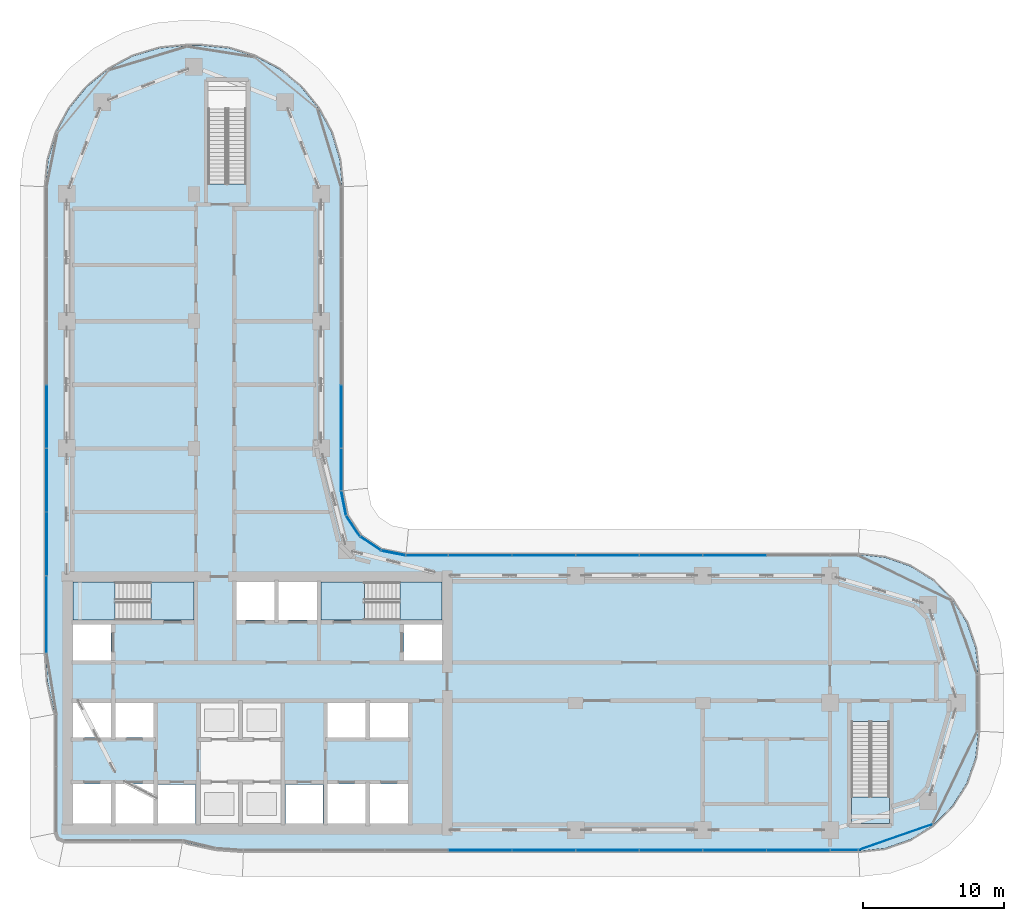
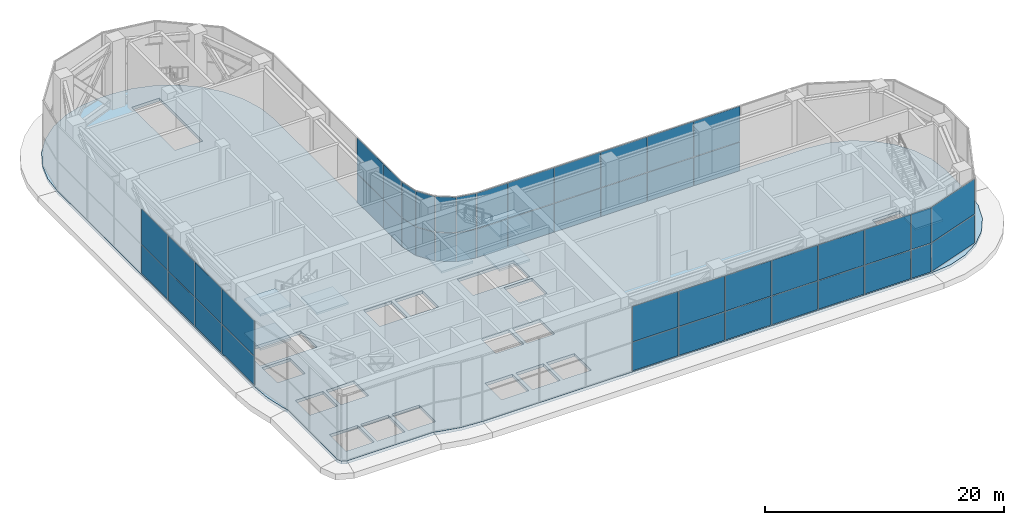
# One storey, part 14 of 35: 48 plates, 8 slabs, 9 elements without a shape of their own.
"""IFC4 building model written with IfcOpenShell, lengths in metres."""

from ifc_helpers import new_model, si_unit, direction, frame, origin, origin_2d, place, context, subcontext, project, spatial, polyline, rectangle, outline, extrude, material, layer, layer_set, type_object, element, aggregate, save


model = new_model("IFC4")

# Units and contexts
model_context = context("Model", 3, precision=1e-05, world=origin(), true_north=direction((0.0, 1.0)))
body_context = subcontext(model_context, "Body", "Model", "MODEL_VIEW")
ifc_project = project(units=[si_unit("LENGTHUNIT", "METRE"), si_unit("AREAUNIT", "SQUARE_METRE"), si_unit("VOLUMEUNIT", "CUBIC_METRE"), si_unit("PLANEANGLEUNIT", "RADIAN"), si_unit("MASSUNIT", "GRAM", prefix="KILO")], contexts=[model_context])

# Site, building, storey
site_placement = place(None, origin())
site = spatial("IfcSite", under=ifc_project, at=site_placement, CompositionType="ELEMENT")
building_placement = place(site_placement, origin())
building = spatial("IfcBuilding", under=site, at=building_placement, Name="Ogive Portal Towers", CompositionType="ELEMENT")
storey_placement = place(building_placement, frame((0.0, 0.0, 135.199951171875)))
storey = spatial("IfcBuildingStorey", under=building, at=storey_placement, Name="L33", CompositionType="ELEMENT", Elevation=135.199951171875)

# Curtain wall, plates
ifc_material_1 = material(Name="Glass, clear low-iron insulated glazing", Category="glass")
curtain_wall_type = type_object("IfcCurtainWallType", Name="CW OBSERVATION WALL", PredefinedType="NOTDEFINED", material=ifc_material_1)
curtain_wall_1_placement = place(storey_placement, origin())
curtain_wall_1 = element("IfcCurtainWall", 1, at=curtain_wall_1_placement, inside=storey, type_object=curtain_wall_type, Name="A:L33:f06:cw0", PredefinedType="NOTDEFINED")
ifc_layer_1 = layer(ifc_material_1, 0.028076171875)
ifc_layer_set_1 = layer_set([ifc_layer_1], Name="CW PANEL IGU 28")
plate_type_1 = type_object("IfcPlateType", Name="CW PANEL IGU 28", PredefinedType="CURTAIN_PANEL", material=ifc_layer_set_1)
plate_1_placement = place(storey_placement, frame((86.4931640625, 20.080078125, 0.06005859375), z_axis=(0.0, 0.0, 1.0), x_axis=(1.0, 0.0, 0.0)))
plate_1 = element("IfcPlate", 2, at=plate_1_placement, type_object=plate_type_1, Name="panel", PredefinedType="CURTAIN_PANEL", context=body_context, shape_type="SweptSolid", body=[
    extrude(rectangle(XDim=1.926513671875, YDim=0.028076171875, at=origin_2d()), origin(), (0.0, 0.0, 1.0), 2.909912109375),
])
plate_2_placement = place(storey_placement, frame((86.4931640625, 20.080078125, 3.02978515625), z_axis=(0.0, 0.0, 1.0), x_axis=(1.0, 0.0, 0.0)))
plate_2 = element("IfcPlate", 3, at=plate_2_placement, type_object=plate_type_1, Name="panel", PredefinedType="CURTAIN_PANEL", context=body_context, shape_type="SweptSolid", body=[
    extrude(rectangle(XDim=1.926513671875, YDim=0.028076171875, at=origin_2d()), origin(), (0.0, 0.0, 1.0), 3.610107421875),
])

curtain_wall_2_placement = place(storey_placement, origin())
curtain_wall_2 = element("IfcCurtainWall", 4, at=curtain_wall_2_placement, inside=storey, type_object=curtain_wall_type, Name="A:L33:f24:cw0", PredefinedType="NOTDEFINED")
plate_3_placement = place(storey_placement, frame((30.080078125, 36.753173828125, 0.06005859375), z_axis=(0.0, 0.0, 1.0), x_axis=(0.0, -1.0, 0.0)))
plate_3 = element("IfcPlate", 5, at=plate_3_placement, type_object=plate_type_1, Name="panel", PredefinedType="CURTAIN_PANEL", context=body_context, shape_type="SweptSolid", body=[
    extrude(rectangle(XDim=5.43359375, YDim=0.028076171875, at=origin_2d()), origin(), (0.0, 0.0, 1.0), 2.909912109375),
])
plate_4_placement = place(storey_placement, frame((30.080078125, 36.753173828125, 3.02978515625), z_axis=(0.0, 0.0, 1.0), x_axis=(0.0, -1.0, 0.0)))
plate_4 = element("IfcPlate", 6, at=plate_4_placement, type_object=plate_type_1, Name="panel", PredefinedType="CURTAIN_PANEL", context=body_context, shape_type="SweptSolid", body=[
    extrude(rectangle(XDim=5.43359375, YDim=0.028076171875, at=origin_2d()), origin(), (0.0, 0.0, 1.0), 3.610107421875),
])

curtain_wall_3_placement = place(storey_placement, origin())
curtain_wall_3 = element("IfcCurtainWall", 7, at=curtain_wall_3_placement, inside=storey, type_object=curtain_wall_type, Name="A:L33:f07:cwa", PredefinedType="NOTDEFINED")
plate_5_placement = place(storey_placement, frame((90.1142578125, 20.99951171875, 0.06005859375), z_axis=(0.0, 0.0, 1.0), x_axis=(0.943883330307, 0.33027906196, 0.0)))
plate_5 = element("IfcPlate", 8, at=plate_5_placement, type_object=plate_type_1, Name="panel", PredefinedType="CURTAIN_PANEL", context=body_context, shape_type="SweptSolid", body=[
    extrude(rectangle(XDim=5.508056640625, YDim=0.028076171875, at=origin_2d()), origin(), (0.0, 0.0, 1.0), 2.909912109375),
])
plate_6_placement = place(storey_placement, frame((90.1142578125, 20.99951171875, 3.02978515625), z_axis=(0.0, 0.0, 1.0), x_axis=(0.943883330307, 0.33027906196, 0.0)))
plate_6 = element("IfcPlate", 9, at=plate_6_placement, type_object=plate_type_1, Name="panel", PredefinedType="CURTAIN_PANEL", context=body_context, shape_type="SweptSolid", body=[
    extrude(rectangle(XDim=5.508056640625, YDim=0.028076171875, at=origin_2d()), origin(), (0.0, 0.0, 1.0), 3.610107421875),
])
aggregate(curtain_wall_3, [plate_5, plate_6])

# Plate
ifc_material_2 = material(Name="Aluminium composite spandrel panel, insulated", Category="aluminium")
ifc_layer_2 = layer(ifc_material_2, 0.06005859375)
ifc_layer_set_2 = layer_set([ifc_layer_2], Name="CW PANEL SPANDREL 60")
plate_type_2 = type_object("IfcPlateType", Name="CW PANEL SPANDREL 60", PredefinedType="CURTAIN_PANEL", material=ifc_layer_set_2)
plate_7_placement = place(storey_placement, frame((60.75, 20.080078125, 0.06005859375), z_axis=(0.0, 0.0, 1.0), x_axis=(1.0, 0.0, 0.0)))
plate_7 = element("IfcPlate", 10, at=plate_7_placement, type_object=plate_type_2, Name="spandrel panel", PredefinedType="CURTAIN_PANEL", context=body_context, shape_type="SweptSolid", body=[
    extrude(rectangle(XDim=4.43994140625, YDim=0.06005859375, at=origin_2d()), origin(), (0.0, 0.0, 1.0), 2.909912109375),
])

plate_8_placement = place(storey_placement, frame((60.75, 20.080078125, 3.02978515625), z_axis=(0.0, 0.0, 1.0), x_axis=(1.0, 0.0, 0.0)))
plate_8 = element("IfcPlate", 11, at=plate_8_placement, type_object=plate_type_2, Name="spandrel panel", PredefinedType="CURTAIN_PANEL", context=body_context, shape_type="SweptSolid", body=[
    extrude(rectangle(XDim=4.43994140625, YDim=0.06005859375, at=origin_2d()), origin(), (0.0, 0.0, 1.0), 3.610107421875),
])

plate_9_placement = place(storey_placement, frame((65.25, 20.080078125, 0.06005859375), z_axis=(0.0, 0.0, 1.0), x_axis=(1.0, 0.0, 0.0)))
plate_9 = element("IfcPlate", 12, at=plate_9_placement, type_object=plate_type_2, Name="spandrel panel", PredefinedType="CURTAIN_PANEL", context=body_context, shape_type="SweptSolid", body=[
    extrude(rectangle(XDim=4.43994140625, YDim=0.06005859375, at=origin_2d()), origin(), (0.0, 0.0, 1.0), 2.909912109375),
])

plate_10_placement = place(storey_placement, frame((65.25, 20.080078125, 3.02978515625), z_axis=(0.0, 0.0, 1.0), x_axis=(1.0, 0.0, 0.0)))
plate_10 = element("IfcPlate", 13, at=plate_10_placement, type_object=plate_type_2, Name="spandrel panel", PredefinedType="CURTAIN_PANEL", context=body_context, shape_type="SweptSolid", body=[
    extrude(rectangle(XDim=4.43994140625, YDim=0.06005859375, at=origin_2d()), origin(), (0.0, 0.0, 1.0), 3.610107421875),
])

plate_11_placement = place(storey_placement, frame((69.75, 20.080078125, 0.06005859375), z_axis=(0.0, 0.0, 1.0), x_axis=(1.0, 0.0, 0.0)))
plate_11 = element("IfcPlate", 14, at=plate_11_placement, type_object=plate_type_2, Name="spandrel panel", PredefinedType="CURTAIN_PANEL", context=body_context, shape_type="SweptSolid", body=[
    extrude(rectangle(XDim=4.43994140625, YDim=0.06005859375, at=origin_2d()), origin(), (0.0, 0.0, 1.0), 2.909912109375),
])

plate_12_placement = place(storey_placement, frame((69.75, 20.080078125, 3.02978515625), z_axis=(0.0, 0.0, 1.0), x_axis=(1.0, 0.0, 0.0)))
plate_12 = element("IfcPlate", 15, at=plate_12_placement, type_object=plate_type_2, Name="spandrel panel", PredefinedType="CURTAIN_PANEL", context=body_context, shape_type="SweptSolid", body=[
    extrude(rectangle(XDim=4.43994140625, YDim=0.06005859375, at=origin_2d()), origin(), (0.0, 0.0, 1.0), 3.610107421875),
])

plate_13_placement = place(storey_placement, frame((74.25, 20.080078125, 0.06005859375), z_axis=(0.0, 0.0, 1.0), x_axis=(1.0, 0.0, 0.0)))
plate_13 = element("IfcPlate", 16, at=plate_13_placement, type_object=plate_type_2, Name="spandrel panel", PredefinedType="CURTAIN_PANEL", context=body_context, shape_type="SweptSolid", body=[
    extrude(rectangle(XDim=4.43994140625, YDim=0.06005859375, at=origin_2d()), origin(), (0.0, 0.0, 1.0), 2.909912109375),
])

plate_14_placement = place(storey_placement, frame((74.25, 20.080078125, 3.02978515625), z_axis=(0.0, 0.0, 1.0), x_axis=(1.0, 0.0, 0.0)))
plate_14 = element("IfcPlate", 17, at=plate_14_placement, type_object=plate_type_2, Name="spandrel panel", PredefinedType="CURTAIN_PANEL", context=body_context, shape_type="SweptSolid", body=[
    extrude(rectangle(XDim=4.43994140625, YDim=0.06005859375, at=origin_2d()), origin(), (0.0, 0.0, 1.0), 3.610107421875),
])

plate_15_placement = place(storey_placement, frame((78.75, 20.080078125, 0.06005859375), z_axis=(0.0, 0.0, 1.0), x_axis=(1.0, 0.0, 0.0)))
plate_15 = element("IfcPlate", 18, at=plate_15_placement, type_object=plate_type_2, Name="spandrel panel", PredefinedType="CURTAIN_PANEL", context=body_context, shape_type="SweptSolid", body=[
    extrude(rectangle(XDim=4.43994140625, YDim=0.06005859375, at=origin_2d()), origin(), (0.0, 0.0, 1.0), 2.909912109375),
])

plate_16_placement = place(storey_placement, frame((78.75, 20.080078125, 3.02978515625), z_axis=(0.0, 0.0, 1.0), x_axis=(1.0, 0.0, 0.0)))
plate_16 = element("IfcPlate", 19, at=plate_16_placement, type_object=plate_type_2, Name="spandrel panel", PredefinedType="CURTAIN_PANEL", context=body_context, shape_type="SweptSolid", body=[
    extrude(rectangle(XDim=4.43994140625, YDim=0.06005859375, at=origin_2d()), origin(), (0.0, 0.0, 1.0), 3.610107421875),
])

plate_17_placement = place(storey_placement, frame((83.25, 20.080078125, 0.06005859375), z_axis=(0.0, 0.0, 1.0), x_axis=(1.0, 0.0, 0.0)))
plate_17 = element("IfcPlate", 20, at=plate_17_placement, type_object=plate_type_2, Name="spandrel panel", PredefinedType="CURTAIN_PANEL", context=body_context, shape_type="SweptSolid", body=[
    extrude(rectangle(XDim=4.43994140625, YDim=0.06005859375, at=origin_2d()), origin(), (0.0, 0.0, 1.0), 2.909912109375),
])

plate_18_placement = place(storey_placement, frame((83.25, 20.080078125, 3.02978515625), z_axis=(0.0, 0.0, 1.0), x_axis=(1.0, 0.0, 0.0)))
plate_18 = element("IfcPlate", 21, at=plate_18_placement, type_object=plate_type_2, Name="spandrel panel", PredefinedType="CURTAIN_PANEL", context=body_context, shape_type="SweptSolid", body=[
    extrude(rectangle(XDim=4.43994140625, YDim=0.06005859375, at=origin_2d()), origin(), (0.0, 0.0, 1.0), 3.610107421875),
])

aggregate(curtain_wall_1, [plate_7, plate_8, plate_9, plate_10, plate_11, plate_12, plate_13, plate_14, plate_15, plate_16, plate_17, plate_18, plate_1, plate_2])

# Curtain wall, plates
curtain_wall_4_placement = place(storey_placement, origin())
curtain_wall_4 = element("IfcCurtainWall", 22, at=curtain_wall_4_placement, inside=storey, type_object=curtain_wall_type, Name="A:L33:f12:cw0", PredefinedType="NOTDEFINED")
plate_19_placement = place(storey_placement, frame((78.75, 40.919921875, 0.06005859375), z_axis=(0.0, 0.0, 1.0), x_axis=(-1.0, 0.0, 0.0)))
plate_19 = element("IfcPlate", 23, at=plate_19_placement, type_object=plate_type_2, Name="spandrel panel", PredefinedType="CURTAIN_PANEL", context=body_context, shape_type="SweptSolid", body=[
    extrude(rectangle(XDim=4.43994140625, YDim=0.06005859375, at=origin_2d()), origin(), (0.0, 0.0, 1.0), 2.909912109375),
])
plate_20_placement = place(storey_placement, frame((78.75, 40.919921875, 3.02978515625), z_axis=(0.0, 0.0, 1.0), x_axis=(-1.0, 0.0, 0.0)))
plate_20 = element("IfcPlate", 24, at=plate_20_placement, type_object=plate_type_2, Name="spandrel panel", PredefinedType="CURTAIN_PANEL", context=body_context, shape_type="SweptSolid", body=[
    extrude(rectangle(XDim=4.43994140625, YDim=0.06005859375, at=origin_2d()), origin(), (0.0, 0.0, 1.0), 3.610107421875),
])
plate_21_placement = place(storey_placement, frame((74.25, 40.919921875, 0.06005859375), z_axis=(0.0, 0.0, 1.0), x_axis=(-1.0, 0.0, 0.0)))
plate_21 = element("IfcPlate", 25, at=plate_21_placement, type_object=plate_type_2, Name="spandrel panel", PredefinedType="CURTAIN_PANEL", context=body_context, shape_type="SweptSolid", body=[
    extrude(rectangle(XDim=4.43994140625, YDim=0.06005859375, at=origin_2d()), origin(), (0.0, 0.0, 1.0), 2.909912109375),
])
plate_22_placement = place(storey_placement, frame((74.25, 40.919921875, 3.02978515625), z_axis=(0.0, 0.0, 1.0), x_axis=(-1.0, 0.0, 0.0)))
plate_22 = element("IfcPlate", 26, at=plate_22_placement, type_object=plate_type_2, Name="spandrel panel", PredefinedType="CURTAIN_PANEL", context=body_context, shape_type="SweptSolid", body=[
    extrude(rectangle(XDim=4.43994140625, YDim=0.06005859375, at=origin_2d()), origin(), (0.0, 0.0, 1.0), 3.610107421875),
])
plate_23_placement = place(storey_placement, frame((69.75, 40.919921875, 0.06005859375), z_axis=(0.0, 0.0, 1.0), x_axis=(-1.0, 0.0, 0.0)))
plate_23 = element("IfcPlate", 27, at=plate_23_placement, type_object=plate_type_2, Name="spandrel panel", PredefinedType="CURTAIN_PANEL", context=body_context, shape_type="SweptSolid", body=[
    extrude(rectangle(XDim=4.43994140625, YDim=0.06005859375, at=origin_2d()), origin(), (0.0, 0.0, 1.0), 2.909912109375),
])
plate_24_placement = place(storey_placement, frame((69.75, 40.919921875, 3.02978515625), z_axis=(0.0, 0.0, 1.0), x_axis=(-1.0, 0.0, 0.0)))
plate_24 = element("IfcPlate", 28, at=plate_24_placement, type_object=plate_type_2, Name="spandrel panel", PredefinedType="CURTAIN_PANEL", context=body_context, shape_type="SweptSolid", body=[
    extrude(rectangle(XDim=4.43994140625, YDim=0.06005859375, at=origin_2d()), origin(), (0.0, 0.0, 1.0), 3.610107421875),
])
plate_25_placement = place(storey_placement, frame((65.25, 40.919921875, 0.06005859375), z_axis=(0.0, 0.0, 1.0), x_axis=(-1.0, 0.0, 0.0)))
plate_25 = element("IfcPlate", 29, at=plate_25_placement, type_object=plate_type_2, Name="spandrel panel", PredefinedType="CURTAIN_PANEL", context=body_context, shape_type="SweptSolid", body=[
    extrude(rectangle(XDim=4.43994140625, YDim=0.06005859375, at=origin_2d()), origin(), (0.0, 0.0, 1.0), 2.909912109375),
])
plate_26_placement = place(storey_placement, frame((65.25, 40.919921875, 3.02978515625), z_axis=(0.0, 0.0, 1.0), x_axis=(-1.0, 0.0, 0.0)))
plate_26 = element("IfcPlate", 30, at=plate_26_placement, type_object=plate_type_2, Name="spandrel panel", PredefinedType="CURTAIN_PANEL", context=body_context, shape_type="SweptSolid", body=[
    extrude(rectangle(XDim=4.43994140625, YDim=0.06005859375, at=origin_2d()), origin(), (0.0, 0.0, 1.0), 3.610107421875),
])
plate_27_placement = place(storey_placement, frame((60.75, 40.919921875, 0.06005859375), z_axis=(0.0, 0.0, 1.0), x_axis=(-1.0, 0.0, 0.0)))
plate_27 = element("IfcPlate", 31, at=plate_27_placement, type_object=plate_type_2, Name="spandrel panel", PredefinedType="CURTAIN_PANEL", context=body_context, shape_type="SweptSolid", body=[
    extrude(rectangle(XDim=4.43994140625, YDim=0.06005859375, at=origin_2d()), origin(), (0.0, 0.0, 1.0), 2.909912109375),
])
plate_28_placement = place(storey_placement, frame((60.75, 40.919921875, 3.02978515625), z_axis=(0.0, 0.0, 1.0), x_axis=(-1.0, 0.0, 0.0)))
plate_28 = element("IfcPlate", 32, at=plate_28_placement, type_object=plate_type_2, Name="spandrel panel", PredefinedType="CURTAIN_PANEL", context=body_context, shape_type="SweptSolid", body=[
    extrude(rectangle(XDim=4.43994140625, YDim=0.06005859375, at=origin_2d()), origin(), (0.0, 0.0, 1.0), 3.610107421875),
])
plate_29_placement = place(storey_placement, frame((56.99609375, 40.919921875, 0.06005859375), z_axis=(0.0, 0.0, 1.0), x_axis=(-1.0, 0.0, 0.0)))
plate_29 = element("IfcPlate", 33, at=plate_29_placement, type_object=plate_type_2, Name="spandrel panel", PredefinedType="CURTAIN_PANEL", context=body_context, shape_type="SweptSolid", body=[
    extrude(rectangle(XDim=2.947998046875, YDim=0.06005859375, at=origin_2d()), origin(), (0.0, 0.0, 1.0), 2.909912109375),
])
plate_30_placement = place(storey_placement, frame((56.99609375, 40.919921875, 3.02978515625), z_axis=(0.0, 0.0, 1.0), x_axis=(-1.0, 0.0, 0.0)))
plate_30 = element("IfcPlate", 34, at=plate_30_placement, type_object=plate_type_2, Name="spandrel panel", PredefinedType="CURTAIN_PANEL", context=body_context, shape_type="SweptSolid", body=[
    extrude(rectangle(XDim=2.947998046875, YDim=0.06005859375, at=origin_2d()), origin(), (0.0, 0.0, 1.0), 3.610107421875),
])
aggregate(curtain_wall_4, [plate_19, plate_20, plate_21, plate_22, plate_23, plate_24, plate_25, plate_26, plate_27, plate_28, plate_29, plate_30])

curtain_wall_5_placement = place(storey_placement, origin())
curtain_wall_5 = element("IfcCurtainWall", 35, at=curtain_wall_5_placement, inside=storey, type_object=curtain_wall_type, Name="A:L33:f17:cw0", PredefinedType="NOTDEFINED")
plate_31_placement = place(storey_placement, frame((50.919921875, 46.99609375, 0.06005859375), z_axis=(0.0, 0.0, 1.0), x_axis=(0.0, 1.0, 0.0)))
plate_31 = element("IfcPlate", 36, at=plate_31_placement, type_object=plate_type_2, Name="spandrel panel", PredefinedType="CURTAIN_PANEL", context=body_context, shape_type="SweptSolid", body=[
    extrude(rectangle(XDim=2.947998046875, YDim=0.06005859375, at=origin_2d()), origin(), (0.0, 0.0, 1.0), 2.909912109375),
])
plate_32_placement = place(storey_placement, frame((50.919921875, 46.99609375, 3.02978515625), z_axis=(0.0, 0.0, 1.0), x_axis=(0.0, 1.0, 0.0)))
plate_32 = element("IfcPlate", 37, at=plate_32_placement, type_object=plate_type_2, Name="spandrel panel", PredefinedType="CURTAIN_PANEL", context=body_context, shape_type="SweptSolid", body=[
    extrude(rectangle(XDim=2.947998046875, YDim=0.06005859375, at=origin_2d()), origin(), (0.0, 0.0, 1.0), 3.610107421875),
])
plate_33_placement = place(storey_placement, frame((50.919921875, 50.75, 0.06005859375), z_axis=(0.0, 0.0, 1.0), x_axis=(0.0, 1.0, 0.0)))
plate_33 = element("IfcPlate", 38, at=plate_33_placement, type_object=plate_type_2, Name="spandrel panel", PredefinedType="CURTAIN_PANEL", context=body_context, shape_type="SweptSolid", body=[
    extrude(rectangle(XDim=4.43994140625, YDim=0.06005859375, at=origin_2d()), origin(), (0.0, 0.0, 1.0), 2.909912109375),
])
plate_34_placement = place(storey_placement, frame((50.919921875, 50.75, 3.02978515625), z_axis=(0.0, 0.0, 1.0), x_axis=(0.0, 1.0, 0.0)))
plate_34 = element("IfcPlate", 39, at=plate_34_placement, type_object=plate_type_2, Name="spandrel panel", PredefinedType="CURTAIN_PANEL", context=body_context, shape_type="SweptSolid", body=[
    extrude(rectangle(XDim=4.43994140625, YDim=0.06005859375, at=origin_2d()), origin(), (0.0, 0.0, 1.0), 3.610107421875),
])
aggregate(curtain_wall_5, [plate_31, plate_32, plate_33, plate_34])

# Plate
plate_35_placement = place(storey_placement, frame((30.080078125, 50.75, 0.06005859375), z_axis=(0.0, 0.0, 1.0), x_axis=(0.0, -1.0, 0.0)))
plate_35 = element("IfcPlate", 40, at=plate_35_placement, type_object=plate_type_2, Name="spandrel panel", PredefinedType="CURTAIN_PANEL", context=body_context, shape_type="SweptSolid", body=[
    extrude(rectangle(XDim=4.43994140625, YDim=0.06005859375, at=origin_2d()), origin(), (0.0, 0.0, 1.0), 2.909912109375),
])

plate_36_placement = place(storey_placement, frame((30.080078125, 50.75, 3.02978515625), z_axis=(0.0, 0.0, 1.0), x_axis=(0.0, -1.0, 0.0)))
plate_36 = element("IfcPlate", 41, at=plate_36_placement, type_object=plate_type_2, Name="spandrel panel", PredefinedType="CURTAIN_PANEL", context=body_context, shape_type="SweptSolid", body=[
    extrude(rectangle(XDim=4.43994140625, YDim=0.06005859375, at=origin_2d()), origin(), (0.0, 0.0, 1.0), 3.610107421875),
])

plate_37_placement = place(storey_placement, frame((30.080078125, 46.25, 0.06005859375), z_axis=(0.0, 0.0, 1.0), x_axis=(0.0, -1.0, 0.0)))
plate_37 = element("IfcPlate", 42, at=plate_37_placement, type_object=plate_type_2, Name="spandrel panel", PredefinedType="CURTAIN_PANEL", context=body_context, shape_type="SweptSolid", body=[
    extrude(rectangle(XDim=4.43994140625, YDim=0.06005859375, at=origin_2d()), origin(), (0.0, 0.0, 1.0), 2.909912109375),
])

plate_38_placement = place(storey_placement, frame((30.080078125, 46.25, 3.02978515625), z_axis=(0.0, 0.0, 1.0), x_axis=(0.0, -1.0, 0.0)))
plate_38 = element("IfcPlate", 43, at=plate_38_placement, type_object=plate_type_2, Name="spandrel panel", PredefinedType="CURTAIN_PANEL", context=body_context, shape_type="SweptSolid", body=[
    extrude(rectangle(XDim=4.43994140625, YDim=0.06005859375, at=origin_2d()), origin(), (0.0, 0.0, 1.0), 3.610107421875),
])

plate_39_placement = place(storey_placement, frame((30.080078125, 41.75, 0.06005859375), z_axis=(0.0, 0.0, 1.0), x_axis=(0.0, -1.0, 0.0)))
plate_39 = element("IfcPlate", 44, at=plate_39_placement, type_object=plate_type_2, Name="spandrel panel", PredefinedType="CURTAIN_PANEL", context=body_context, shape_type="SweptSolid", body=[
    extrude(rectangle(XDim=4.43994140625, YDim=0.06005859375, at=origin_2d()), origin(), (0.0, 0.0, 1.0), 2.909912109375),
])

plate_40_placement = place(storey_placement, frame((30.080078125, 41.75, 3.02978515625), z_axis=(0.0, 0.0, 1.0), x_axis=(0.0, -1.0, 0.0)))
plate_40 = element("IfcPlate", 45, at=plate_40_placement, type_object=plate_type_2, Name="spandrel panel", PredefinedType="CURTAIN_PANEL", context=body_context, shape_type="SweptSolid", body=[
    extrude(rectangle(XDim=4.43994140625, YDim=0.06005859375, at=origin_2d()), origin(), (0.0, 0.0, 1.0), 3.610107421875),
])

aggregate(curtain_wall_2, [plate_35, plate_36, plate_37, plate_38, plate_39, plate_40, plate_3, plate_4])

# Curtain wall, plates
curtain_wall_6_placement = place(storey_placement, origin())
curtain_wall_6 = element("IfcCurtainWall", 46, at=curtain_wall_6_placement, inside=storey, type_object=curtain_wall_type, Name="A:L33:f13:cwa", PredefinedType="NOTDEFINED")
plate_41_placement = place(storey_placement, frame((54.619384765625, 41.093505859375, 0.06005859375), z_axis=(0.0, 0.0, 1.0), x_axis=(-0.980785280403, 0.195090322016, 0.0)))
plate_41 = element("IfcPlate", 47, at=plate_41_placement, type_object=plate_type_2, Name="spandrel panel", PredefinedType="CURTAIN_PANEL", context=body_context, shape_type="SweptSolid", body=[
    extrude(rectangle(XDim=1.7197265625, YDim=0.06005859375, at=origin_2d()), origin(), (0.0, 0.0, 1.0), 2.909912109375),
])
plate_42_placement = place(storey_placement, frame((54.619384765625, 41.093505859375, 3.02978515625), z_axis=(0.0, 0.0, 1.0), x_axis=(-0.980785280403, 0.195090322016, 0.0)))
plate_42 = element("IfcPlate", 48, at=plate_42_placement, type_object=plate_type_2, Name="spandrel panel", PredefinedType="CURTAIN_PANEL", context=body_context, shape_type="SweptSolid", body=[
    extrude(rectangle(XDim=1.7197265625, YDim=0.06005859375, at=origin_2d()), origin(), (0.0, 0.0, 1.0), 3.610107421875),
])
plate_43_placement = place(storey_placement, frame((53.00341796875, 41.763671875, 0.06005859375), z_axis=(0.0, 0.0, 1.0), x_axis=(-0.831469612303, 0.55557023302, 0.0)))
plate_43 = element("IfcPlate", 49, at=plate_43_placement, type_object=plate_type_2, Name="spandrel panel", PredefinedType="CURTAIN_PANEL", context=body_context, shape_type="SweptSolid", body=[
    extrude(rectangle(XDim=1.7275390625, YDim=0.06005859375, at=origin_2d()), origin(), (0.0, 0.0, 1.0), 2.909912109375),
])
plate_44_placement = place(storey_placement, frame((53.00341796875, 41.763671875, 3.02978515625), z_axis=(0.0, 0.0, 1.0), x_axis=(-0.831469612303, 0.55557023302, 0.0)))
plate_44 = element("IfcPlate", 50, at=plate_44_placement, type_object=plate_type_2, Name="spandrel panel", PredefinedType="CURTAIN_PANEL", context=body_context, shape_type="SweptSolid", body=[
    extrude(rectangle(XDim=1.7275390625, YDim=0.06005859375, at=origin_2d()), origin(), (0.0, 0.0, 1.0), 3.610107421875),
])
plate_45_placement = place(storey_placement, frame((51.763671875, 43.00341796875, 0.06005859375), z_axis=(0.0, 0.0, 1.0), x_axis=(-0.55557023302, 0.831469612303, 0.0)))
plate_45 = element("IfcPlate", 51, at=plate_45_placement, type_object=plate_type_2, Name="spandrel panel", PredefinedType="CURTAIN_PANEL", context=body_context, shape_type="SweptSolid", body=[
    extrude(rectangle(XDim=1.7275390625, YDim=0.06005859375, at=origin_2d()), origin(), (0.0, 0.0, 1.0), 2.909912109375),
])
plate_46_placement = place(storey_placement, frame((51.763671875, 43.00341796875, 3.02978515625), z_axis=(0.0, 0.0, 1.0), x_axis=(-0.55557023302, 0.831469612303, 0.0)))
plate_46 = element("IfcPlate", 52, at=plate_46_placement, type_object=plate_type_2, Name="spandrel panel", PredefinedType="CURTAIN_PANEL", context=body_context, shape_type="SweptSolid", body=[
    extrude(rectangle(XDim=1.7275390625, YDim=0.06005859375, at=origin_2d()), origin(), (0.0, 0.0, 1.0), 3.610107421875),
])
plate_47_placement = place(storey_placement, frame((51.093505859375, 44.619384765625, 0.06005859375), z_axis=(0.0, 0.0, 1.0), x_axis=(-0.195090322016, 0.980785280403, 0.0)))
plate_47 = element("IfcPlate", 53, at=plate_47_placement, type_object=plate_type_2, Name="spandrel panel", PredefinedType="CURTAIN_PANEL", context=body_context, shape_type="SweptSolid", body=[
    extrude(rectangle(XDim=1.7197265625, YDim=0.06005859375, at=origin_2d()), origin(), (0.0, 0.0, 1.0), 2.909912109375),
])
plate_48_placement = place(storey_placement, frame((51.093505859375, 44.619384765625, 3.02978515625), z_axis=(0.0, 0.0, 1.0), x_axis=(-0.195090322016, 0.980785280403, 0.0)))
plate_48 = element("IfcPlate", 54, at=plate_48_placement, type_object=plate_type_2, Name="spandrel panel", PredefinedType="CURTAIN_PANEL", context=body_context, shape_type="SweptSolid", body=[
    extrude(rectangle(XDim=1.7197265625, YDim=0.06005859375, at=origin_2d()), origin(), (0.0, 0.0, 1.0), 3.610107421875),
])
aggregate(curtain_wall_6, [plate_41, plate_42, plate_43, plate_44, plate_45, plate_46, plate_47, plate_48])

# Stair, slabs
ifc_material_3 = material(Name="Concrete C40/50", Category="concrete")
stair_type = type_object("IfcStairType", Name="INT-STAIR", PredefinedType="HALF_TURN_STAIR", material=ifc_material_3)
stair_1_placement = place(storey_placement, origin())
stair_1 = element("IfcStair", 55, at=stair_1_placement, inside=storey, type_object=stair_type, Name="L33 Exit Stair ST-A1", PredefinedType="HALF_TURN_STAIR")
ifc_layer_3 = layer(ifc_material_3, 0.199951171875)
ifc_layer_set_3 = layer_set([ifc_layer_3], Name="INT-LANDING")
slab_type_1 = type_object("IfcSlabType", Name="INT-LANDING", PredefinedType="LANDING", material=ifc_layer_set_3)
slab_1_placement = place(storey_placement, frame((0.0, 0.0, 1.550048828125)))
slab_1 = element("IfcSlab", 56, at=slab_1_placement, type_object=slab_type_1, Name="ST-A1 landing 1", PredefinedType="LANDING", context=body_context, shape_type="SweptSolid", body=[
    extrude(outline(polyline([(34.929931640625, 39.050048828125), (31.949951171875, 39.050048828125), (31.949951171875, 36.35009765625), (34.929931640625, 36.35009765625), (34.929931640625, 39.050048828125)])), origin(), (0.0, 0.0, 1.0), 0.199951171875),
])
slab_2_placement = place(storey_placement, frame((0.0, 0.0, 3.300048828125)))
slab_2 = element("IfcSlab", 57, at=slab_2_placement, type_object=slab_type_1, Name="ST-A1 landing 2", PredefinedType="LANDING", context=body_context, shape_type="SweptSolid", body=[
    extrude(outline(polyline([(40.5, 39.050048828125), (37.449951171875, 39.050048828125), (37.449951171875, 36.35009765625), (40.5, 36.35009765625), (40.5, 39.050048828125)])), origin(), (0.0, 0.0, 1.0), 0.199951171875),
])
slab_3_placement = place(storey_placement, frame((0.0, 0.0, 5.050048828125)))
slab_3 = element("IfcSlab", 58, at=slab_3_placement, type_object=slab_type_1, Name="ST-A1 landing 3", PredefinedType="LANDING", context=body_context, shape_type="SweptSolid", body=[
    extrude(outline(polyline([(34.929931640625, 39.050048828125), (31.949951171875, 39.050048828125), (31.949951171875, 36.35009765625), (34.929931640625, 36.35009765625), (34.929931640625, 39.050048828125)])), origin(), (0.0, 0.0, 1.0), 0.199951171875),
])
aggregate(stair_1, [slab_1, slab_2, slab_3])

stair_2_placement = place(storey_placement, origin())
stair_2 = element("IfcStair", 59, at=stair_2_placement, inside=storey, type_object=stair_type, Name="L33 Exit Stair ST-A2", PredefinedType="HALF_TURN_STAIR")
slab_4_placement = place(storey_placement, frame((0.0, 0.0, 1.550048828125)))
slab_4 = element("IfcSlab", 60, at=slab_4_placement, type_object=slab_type_1, Name="ST-A2 landing 1", PredefinedType="LANDING", context=body_context, shape_type="SweptSolid", body=[
    extrude(outline(polyline([(55.070068359375, 36.35009765625), (58.050048828125, 36.35009765625), (58.050048828125, 39.050048828125), (55.070068359375, 39.050048828125), (55.070068359375, 36.35009765625)])), origin(), (0.0, 0.0, 1.0), 0.199951171875),
])
slab_5_placement = place(storey_placement, frame((0.0, 0.0, 3.300048828125)))
slab_5 = element("IfcSlab", 61, at=slab_5_placement, type_object=slab_type_1, Name="ST-A2 landing 2", PredefinedType="LANDING", context=body_context, shape_type="SweptSolid", body=[
    extrude(outline(polyline([(49.5, 36.35009765625), (52.550048828125, 36.35009765625), (52.550048828125, 39.050048828125), (49.5, 39.050048828125), (49.5, 36.35009765625)])), origin(), (0.0, 0.0, 1.0), 0.199951171875),
])
slab_6_placement = place(storey_placement, frame((0.0, 0.0, 5.050048828125)))
slab_6 = element("IfcSlab", 62, at=slab_6_placement, type_object=slab_type_1, Name="ST-A2 landing 3", PredefinedType="LANDING", context=body_context, shape_type="SweptSolid", body=[
    extrude(outline(polyline([(55.070068359375, 36.35009765625), (58.050048828125, 36.35009765625), (58.050048828125, 39.050048828125), (55.070068359375, 39.050048828125), (55.070068359375, 36.35009765625)])), origin(), (0.0, 0.0, 1.0), 0.199951171875),
])
aggregate(stair_2, [slab_4, slab_5, slab_6])

# Stair, slab
stair_3_placement = place(storey_placement, origin())
stair_3 = element("IfcStair", 63, at=stair_3_placement, inside=storey, type_object=stair_type, Name="L33 Exit Stair ST-A4", PredefinedType="HALF_TURN_STAIR")
slab_7_placement = place(storey_placement, frame((0.0, 0.0, 3.300048828125)))
slab_7 = element("IfcSlab", 64, at=slab_7_placement, type_object=slab_type_1, Name="ST-A4 landing 1", PredefinedType="LANDING", context=body_context, shape_type="SweptSolid", body=[
    extrude(outline(polyline([(87.0, 23.85009765625), (87.0, 21.949951171875), (89.699951171875, 21.949951171875), (89.699951171875, 23.85009765625), (87.0, 23.85009765625)])), origin(), (0.0, 0.0, 1.0), 0.199951171875),
])
aggregate(stair_3, [slab_7])

# Slab
ifc_material_4 = material(Name="Concrete C45/55", Category="concrete")
ifc_layer_4 = layer(ifc_material_4, 0.300048828125)
ifc_layer_set_4 = layer_set([ifc_layer_4], Name="PT FLAT PLATE 300")
slab_type_2 = type_object("IfcSlabType", Name="PT FLAT PLATE 300", PredefinedType="FLOOR", material=ifc_layer_set_4)
slab_8_placement = place(storey_placement, frame((0.0, 0.0, -0.300048828125)))
element("IfcSlab", 65, at=slab_8_placement, inside=storey, type_object=slab_type_2, Name="Floor slab L33", PredefinedType="FLOOR", context=body_context, shape_type="SweptSolid", body=[
    extrude(outline(polyline([(30.142578125, 32.007568359375), (30.567138671875, 30.0556640625), (30.699951171875, 29.699462890625), (30.699951171875, 21.300048828125), (30.875732421875, 20.875732421875), (31.300048828125, 20.699951171875), (39.699462890625, 20.699951171875), (40.0556640625, 20.567138671875), (42.007568359375, 20.142578125), (44.0, 20.0), (87.5, 20.0), (89.391357421875, 20.213134765625), (91.18798828125, 20.841796875), (92.7998046875, 21.8544921875), (94.1455078125, 23.2001953125), (95.158203125, 24.81201171875), (95.786865234375, 26.608642578125), (96.0, 28.5), (96.0, 32.5), (95.786865234375, 34.391357421875), (95.158203125, 36.18798828125), (94.1455078125, 37.7998046875), (92.7998046875, 39.1455078125), (91.18798828125, 40.158203125), (89.391357421875, 40.786865234375), (87.5, 41.0), (55.5, 41.0), (53.77783203125, 41.342529296875), (52.318115234375, 42.318115234375), (51.342529296875, 43.77783203125), (51.0, 45.5), (51.0, 67.0), (50.807861328125, 68.950927734375), (50.23876953125, 70.826904296875), (49.314697265625, 72.5556640625), (48.071044921875, 74.071044921875), (46.5556640625, 75.314697265625), (44.826904296875, 76.23876953125), (42.950927734375, 76.807861328125), (41.0, 77.0), (40.0, 77.0), (38.049072265625, 76.807861328125), (36.173095703125, 76.23876953125), (34.4443359375, 75.314697265625), (32.928955078125, 74.071044921875), (31.685302734375, 72.5556640625), (30.76123046875, 70.826904296875), (30.192138671875, 68.950927734375), (30.0, 67.0), (30.0, 34.0), (30.142578125, 32.007568359375)]), holes=[polyline([(34.64990234375, 24.75), (34.64990234375, 21.949951171875), (31.949951171875, 21.949951171875), (31.949951171875, 24.75), (34.64990234375, 24.75)]), polyline([(37.64990234375, 24.75), (37.64990234375, 21.949951171875), (34.949951171875, 21.949951171875), (34.949951171875, 24.75), (37.64990234375, 24.75)]), polyline([(40.6298828125, 21.969970703125), (37.969970703125, 21.969970703125), (37.969970703125, 24.72998046875), (40.6298828125, 24.72998046875), (40.6298828125, 21.969970703125)]), polyline([(34.64990234375, 30.5), (34.64990234375, 28.050048828125), (31.949951171875, 28.050048828125), (31.949951171875, 30.5), (34.64990234375, 30.5)]), polyline([(37.64990234375, 30.5), (37.64990234375, 28.050048828125), (34.949951171875, 28.050048828125), (34.949951171875, 30.5), (37.64990234375, 30.5)]), polyline([(34.64990234375, 36.050048828125), (34.64990234375, 33.5), (31.949951171875, 33.5), (31.949951171875, 36.050048828125), (34.64990234375, 36.050048828125)]), polyline([(31.951904296875, 39.048095703125), (37.447998046875, 39.048095703125), (37.447998046875, 36.35205078125), (31.951904296875, 36.35205078125), (31.951904296875, 39.048095703125)]), polyline([(46.199951171875, 36.35009765625), (43.5, 36.35009765625), (43.5, 39.050048828125), (46.199951171875, 39.050048828125), (46.199951171875, 36.35009765625)]), polyline([(44.197998046875, 67.201904296875), (41.501953125, 67.201904296875), (41.501953125, 74.447998046875), (44.197998046875, 74.447998046875), (44.197998046875, 67.201904296875)]), polyline([(49.6298828125, 21.969970703125), (46.969970703125, 21.969970703125), (46.969970703125, 24.72998046875), (49.6298828125, 24.72998046875), (49.6298828125, 21.969970703125)]), polyline([(52.64990234375, 24.75), (52.64990234375, 21.949951171875), (49.949951171875, 21.949951171875), (49.949951171875, 24.75), (52.64990234375, 24.75)]), polyline([(55.64990234375, 24.75), (55.64990234375, 21.949951171875), (52.949951171875, 21.949951171875), (52.949951171875, 24.75), (55.64990234375, 24.75)]), polyline([(87.001953125, 21.951904296875), (87.001953125, 29.16796875), (89.697998046875, 29.16796875), (89.697998046875, 21.951904296875), (87.001953125, 21.951904296875)]), polyline([(52.64990234375, 30.5), (52.64990234375, 28.050048828125), (49.949951171875, 28.050048828125), (49.949951171875, 30.5), (52.64990234375, 30.5)]), polyline([(55.64990234375, 30.5), (55.64990234375, 28.050048828125), (52.949951171875, 28.050048828125), (52.949951171875, 30.5), (55.64990234375, 30.5)]), polyline([(58.050048828125, 36.050048828125), (58.050048828125, 33.5), (55.35009765625, 33.5), (55.35009765625, 36.050048828125), (58.050048828125, 36.050048828125)]), polyline([(49.199951171875, 36.35009765625), (46.5, 36.35009765625), (46.5, 39.050048828125), (49.199951171875, 39.050048828125), (49.199951171875, 36.35009765625)]), polyline([(52.552001953125, 36.35205078125), (52.552001953125, 39.048095703125), (58.048095703125, 39.048095703125), (58.048095703125, 36.35205078125), (52.552001953125, 36.35205078125)])]), origin(), (0.0, 0.0, 1.0), 0.300048828125),
])

save(model, "model.ifc")
